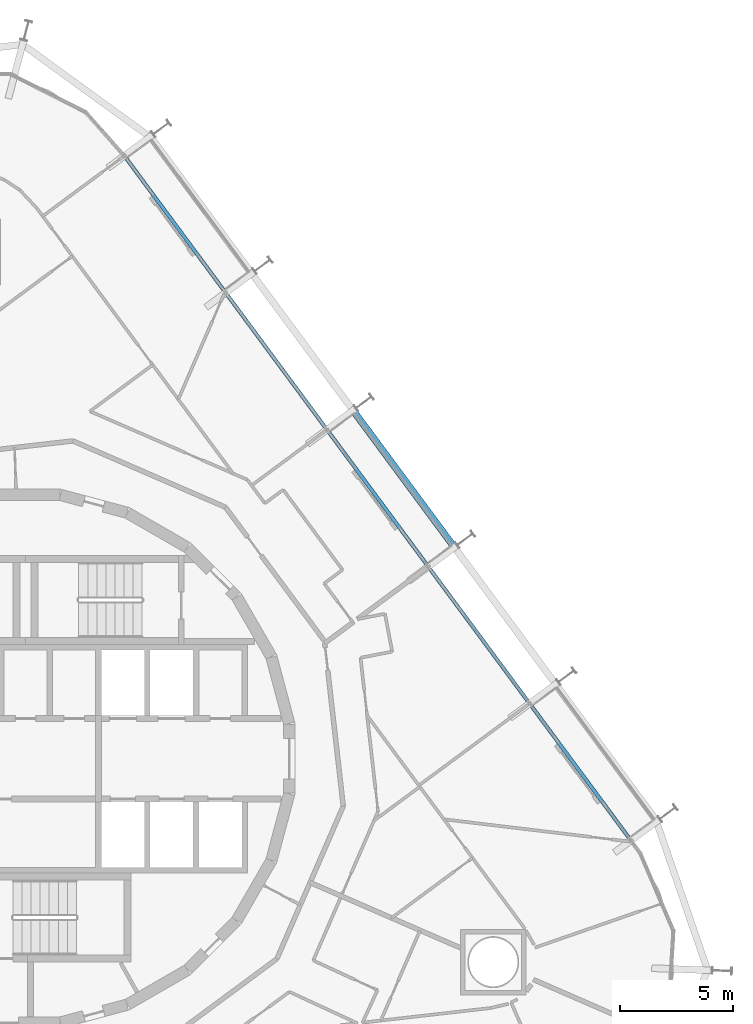
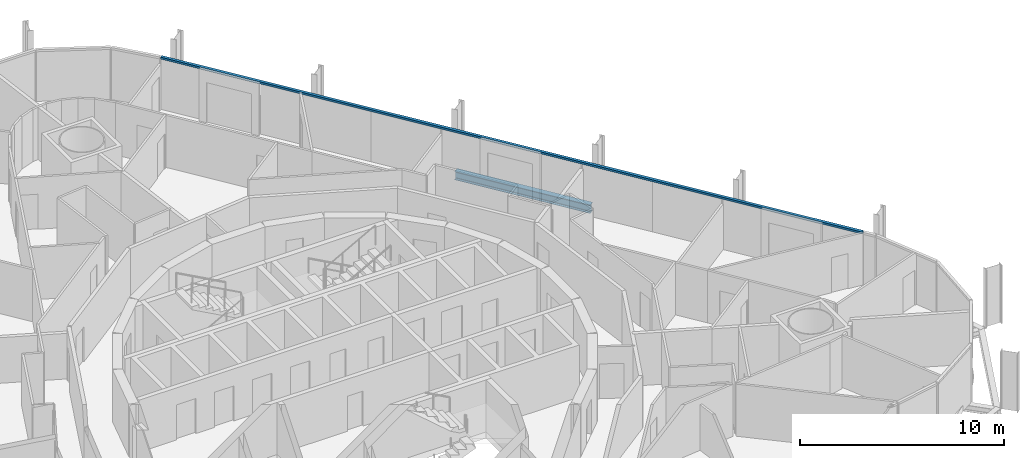
# One storey, part 10 of 24: 1 beam, 1 member, 1 element without a shape of its own.
"""IFC4 building model written with IfcOpenShell, lengths in metres."""

from ifc_helpers import new_model, si_unit, direction, frame, origin, origin_2d, place, context, subcontext, project, spatial, rectangle, i_section, extrude, material, layer, layer_set, material_profile, profile_set, type_object, element, aggregate, save


model = new_model("IFC4")

# Units and contexts
model_context = context("Model", 3, precision=1e-05, world=origin(), true_north=direction((0.0, 1.0)))
body_context = subcontext(model_context, "Body", "Model", "MODEL_VIEW")
ifc_project = project(units=[si_unit("LENGTHUNIT", "METRE"), si_unit("AREAUNIT", "SQUARE_METRE"), si_unit("VOLUMEUNIT", "CUBIC_METRE"), si_unit("PLANEANGLEUNIT", "RADIAN"), si_unit("MASSUNIT", "GRAM", prefix="KILO")], contexts=[model_context])

# Site, building, storey
site_placement = place(None, origin())
site = spatial("IfcSite", under=ifc_project, at=site_placement, CompositionType="ELEMENT")
building_placement = place(site_placement, origin())
building = spatial("IfcBuilding", under=site, at=building_placement, Name="Spindle Arch Residences", CompositionType="ELEMENT")
storey_placement = place(building_placement, frame((0.0, 0.0, 94.199951171875)))
storey = spatial("IfcBuildingStorey", under=building, at=storey_placement, Name="L22", CompositionType="ELEMENT", Elevation=94.199951171875)

# Curtain wall, member
ifc_material_1 = material(Name="Aluminium bronze unitised frame with tinted glass", Category="aluminium")
ifc_layer = layer(ifc_material_1, 0.159912109375)
ifc_layer_set = layer_set([ifc_layer], Name="CW-C typical residential unitised wall")
curtain_wall_type = type_object("IfcCurtainWallType", Name="CW-C typical residential unitised wall", PredefinedType="NOTDEFINED", material=ifc_layer_set)
curtain_wall_placement = place(storey_placement, origin())
curtain_wall = element("IfcCurtainWall", 1, at=curtain_wall_placement, inside=storey, type_object=curtain_wall_type, Name="CW-C L22 run 2", PredefinedType="NOTDEFINED")
ifc_material_2 = material(Name="Aluminium bronze anodised transom", Category="aluminium")
ifc_material_profile_1 = material_profile(ifc_material_2, rectangle(XDim=0.159912109375, YDim=0.1201171875, at=origin_2d()), Name="TR 120x160")
ifc_profile_set_1 = profile_set([ifc_material_profile_1], Name="Aluminium bronze anodised transom")
member_type = type_object("IfcMemberType", Name="Bronze transom 120x160", PredefinedType="USERDEFINED", material=ifc_profile_set_1)
member_placement = place(storey_placement, frame((26.707763671875, -3.583740234375, 3.06005859375), z_axis=(-0.594822410752, 0.803857138842, 0.0), x_axis=(-0.803857138842, -0.594822410752, 0.0)))
member = element("IfcMember", 2, at=member_placement, type_object=member_type, Name="CW-C transom 00", ObjectType="TRANSOM", PredefinedType="USERDEFINED", context=body_context, shape_type="SweptSolid", body=[
    extrude(rectangle(XDim=0.159912109375, YDim=0.1201171875, at=origin_2d()), origin(), (0.0, 0.0, 1.0), 37.5341796875),
])
aggregate(curtain_wall, [member])

# Beam
ifc_material_3 = material(Name="Steel S460ML, intumescent coating R 120", Category="steel")
ifc_material_profile_2 = material_profile(ifc_material_3, i_section(OverallWidth=0.300048828125, OverallDepth=0.5, WebThickness=0.014404296875, FlangeThickness=0.028076171875, FilletRadius=0.027099609375, at=origin_2d()), Name="HEB 500")
ifc_profile_set_2 = profile_set([ifc_material_profile_2], Name="Steel S460ML, intumescent coating R 120")
beam_type = type_object("IfcBeamType", Name="Exoskeleton edge beam HEB 500", PredefinedType="BEAM", material=ifc_profile_set_2)
beam_placement = place(storey_placement, frame((18.85546875, 9.437255859375, -0.6298828125), z_axis=(-0.59484300541, 0.803841899203, 0.0), x_axis=(-0.803841899203, -0.59484300541, 0.0)))
element("IfcBeam", 3, at=beam_placement, inside=storey, type_object=beam_type, Name="Exoskeleton edge beam 8", PredefinedType="BEAM", context=body_context, shape_type="SweptSolid", body=[
    extrude(i_section(OverallWidth=0.300048828125, OverallDepth=0.5, WebThickness=0.014404296875, FlangeThickness=0.028076171875, FilletRadius=0.027099609375, at=origin_2d()), origin(), (0.0, 0.0, 1.0), 7.2587890625),
])

save(model, "model.ifc")
